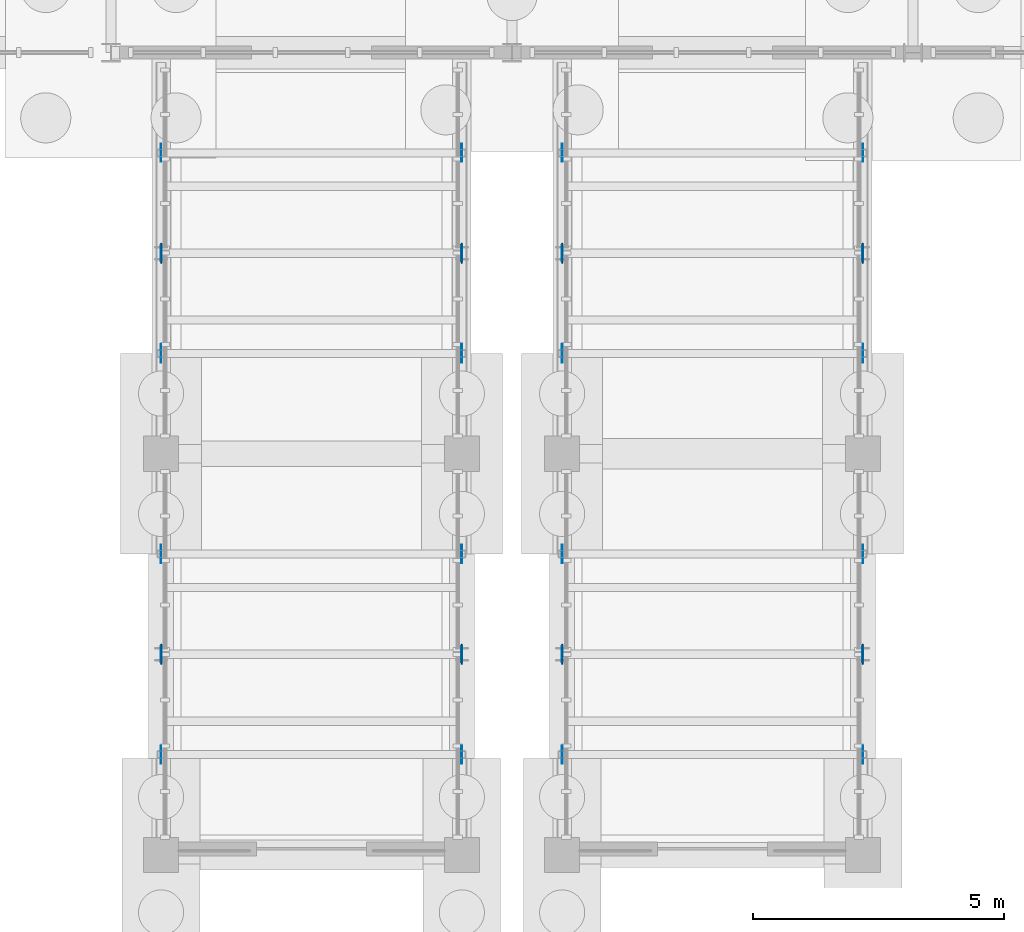
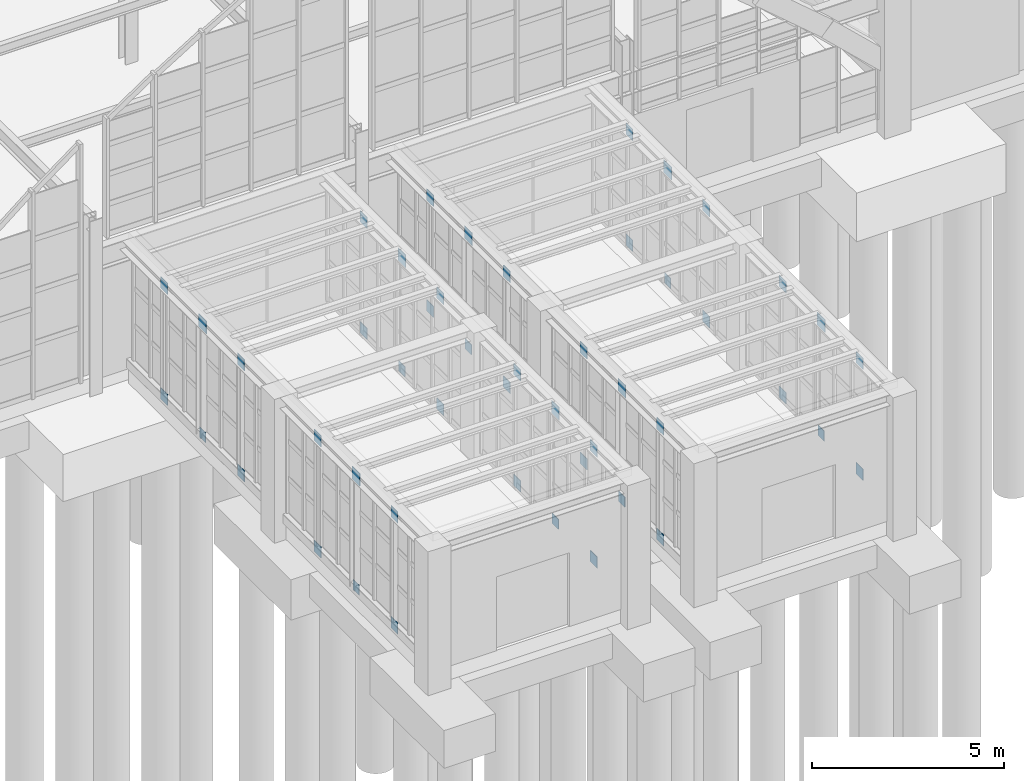
# One storey, part 94 of 129: 48 plates.
"""IFC4 building model written with IfcOpenShell, lengths in metres."""

from ifc_helpers import new_model, si_unit, direction, frame, origin, origin_2d, place, context, subcontext, project, spatial, rectangle, extrude, material, layer, layer_set, type_object, element, save


model = new_model("IFC4")

# Units and contexts
model_context = context("Model", 3, precision=1e-05, world=origin(), true_north=direction((0.0, 1.0)))
body_context = subcontext(model_context, "Body", "Model", "MODEL_VIEW")
ifc_project = project(units=[si_unit("LENGTHUNIT", "METRE"), si_unit("AREAUNIT", "SQUARE_METRE"), si_unit("VOLUMEUNIT", "CUBIC_METRE"), si_unit("PLANEANGLEUNIT", "RADIAN"), si_unit("MASSUNIT", "GRAM", prefix="KILO")], contexts=[model_context])

# Site, building, storey
site_placement = place(None, origin())
site = spatial("IfcSite", under=ifc_project, at=site_placement, CompositionType="ELEMENT")
building_placement = place(site_placement, origin())
building = spatial("IfcBuilding", under=site, at=building_placement, Name="Sitalva Quay Ferry Terminal", CompositionType="ELEMENT")
storey_placement = place(building_placement, origin())
storey = spatial("IfcBuildingStorey", under=building, at=storey_placement, Name="L01", CompositionType="ELEMENT", Elevation=0.0)

# Plates
ifc_material_1 = material(Name="Structural Steel S355JR", Category="steel")
ifc_layer_1 = layer(ifc_material_1, 0.01611328125)
ifc_layer_set_1 = layer_set([ifc_layer_1], Name="Structural Steel S355JR")
plate_type_1 = type_object("IfcPlateType", Name="Gusset_360x360x16", PredefinedType="USERDEFINED", material=ifc_layer_set_1)
for number, where, z_axis, x_axis, name in (
    (1, (51.0, -8.0, 0.06982421875), (0.0, 0.0, 1.0), (1.0, 0.0, 0.0), "Boarding bridge BB2 Vierendeel gusset W1A-BOT"),
    (2, (51.0, -8.0, 3.60009765625), (0.0, 0.0, 1.0), (1.0, 0.0, 0.0), "Boarding bridge BB2 Vierendeel gusset W1A-TOP"),
    (3, (51.0, -4.0, 0.06982421875), (0.0, 0.0, 1.0), (1.0, 0.0, 0.0), "Boarding bridge BB2 Vierendeel gusset W1B-BOT"),
    (4, (51.0, -4.0, 3.60009765625), (0.0, 0.0, 1.0), (1.0, 0.0, 0.0), "Boarding bridge BB2 Vierendeel gusset W1B-TOP"),
    (5, (51.0, 0.0, 0.06982421875), (0.0, 0.0, 1.0), (1.0, 0.0, 0.0), "Boarding bridge BB2 Vierendeel gusset W2A-BOT"),
    (6, (51.0, 0.0, 3.60009765625), (0.0, 0.0, 1.0), (1.0, 0.0, 0.0), "Boarding bridge BB2 Vierendeel gusset W2A-TOP"),
    (7, (51.0, 4.0, 0.06982421875), (0.0, 0.0, 1.0), (1.0, 0.0, 0.0), "Boarding bridge BB2 Vierendeel gusset W2B-BOT"),
    (8, (51.0, 4.0, 3.60009765625), (0.0, 0.0, 1.0), (1.0, 0.0, 0.0), "Boarding bridge BB2 Vierendeel gusset W2B-TOP"),
    (9, (57.0, -8.0, 0.06982421875), (0.0, 0.0, 1.0), (1.0, 0.0, 0.0), "Boarding bridge BB2 Vierendeel gusset E1A-BOT"),
    (10, (57.0, -8.0, 3.60009765625), (0.0, 0.0, 1.0), (1.0, 0.0, 0.0), "Boarding bridge BB2 Vierendeel gusset E1A-TOP"),
    (11, (57.0, -4.0, 0.06982421875), (0.0, 0.0, 1.0), (1.0, 0.0, 0.0), "Boarding bridge BB2 Vierendeel gusset E1B-BOT"),
    (12, (57.0, -4.0, 3.60009765625), (0.0, 0.0, 1.0), (1.0, 0.0, 0.0), "Boarding bridge BB2 Vierendeel gusset E1B-TOP"),
    (13, (57.0, 0.0, 0.06982421875), (0.0, 0.0, 1.0), (1.0, 0.0, 0.0), "Boarding bridge BB2 Vierendeel gusset E2A-BOT"),
    (14, (57.0, 0.0, 3.60009765625), (0.0, 0.0, 1.0), (1.0, 0.0, 0.0), "Boarding bridge BB2 Vierendeel gusset E2A-TOP"),
    (15, (57.0, 4.0, 0.06982421875), (0.0, 0.0, 1.0), (1.0, 0.0, 0.0), "Boarding bridge BB2 Vierendeel gusset E2B-BOT"),
    (16, (57.0, 4.0, 3.60009765625), (0.0, 0.0, 1.0), (1.0, 0.0, 0.0), "Boarding bridge BB2 Vierendeel gusset E2B-TOP"),
    (17, (59.0, -8.0, 0.06982421875), (0.0, 0.0, 1.0), (1.0, 0.0, 0.0), "Boarding bridge BB3 Vierendeel gusset W1A-BOT"),
    (18, (59.0, -8.0, 3.60009765625), (0.0, 0.0, 1.0), (1.0, 0.0, 0.0), "Boarding bridge BB3 Vierendeel gusset W1A-TOP"),
    (19, (59.0, -4.0, 0.06982421875), (0.0, 0.0, 1.0), (1.0, 0.0, 0.0), "Boarding bridge BB3 Vierendeel gusset W1B-BOT"),
    (20, (59.0, -4.0, 3.60009765625), (0.0, 0.0, 1.0), (1.0, 0.0, 0.0), "Boarding bridge BB3 Vierendeel gusset W1B-TOP"),
    (21, (59.0, 0.0, 0.06982421875), (0.0, 0.0, 1.0), (1.0, 0.0, 0.0), "Boarding bridge BB3 Vierendeel gusset W2A-BOT"),
    (22, (59.0, 0.0, 3.60009765625), (0.0, 0.0, 1.0), (1.0, 0.0, 0.0), "Boarding bridge BB3 Vierendeel gusset W2A-TOP"),
    (23, (59.0, 4.0, 0.06982421875), (0.0, 0.0, 1.0), (1.0, 0.0, 0.0), "Boarding bridge BB3 Vierendeel gusset W2B-BOT"),
    (24, (59.0, 4.0, 3.60009765625), (0.0, 0.0, 1.0), (1.0, 0.0, 0.0), "Boarding bridge BB3 Vierendeel gusset W2B-TOP"),
    (25, (65.0, -8.0, 0.06982421875), (0.0, 0.0, 1.0), (1.0, 0.0, 0.0), "Boarding bridge BB3 Vierendeel gusset E1A-BOT"),
    (26, (65.0, -8.0, 3.60009765625), (0.0, 0.0, 1.0), (1.0, 0.0, 0.0), "Boarding bridge BB3 Vierendeel gusset E1A-TOP"),
    (27, (65.0, -4.0, 0.06982421875), (0.0, 0.0, 1.0), (1.0, 0.0, 0.0), "Boarding bridge BB3 Vierendeel gusset E1B-BOT"),
    (28, (65.0, -4.0, 3.60009765625), (0.0, 0.0, 1.0), (1.0, 0.0, 0.0), "Boarding bridge BB3 Vierendeel gusset E1B-TOP"),
    (29, (65.0, 0.0, 0.06982421875), (0.0, 0.0, 1.0), (1.0, 0.0, 0.0), "Boarding bridge BB3 Vierendeel gusset E2A-BOT"),
    (30, (65.0, 0.0, 3.60009765625), (0.0, 0.0, 1.0), (1.0, 0.0, 0.0), "Boarding bridge BB3 Vierendeel gusset E2A-TOP"),
    (31, (65.0, 4.0, 0.06982421875), (0.0, 0.0, 1.0), (1.0, 0.0, 0.0), "Boarding bridge BB3 Vierendeel gusset E2B-BOT"),
    (32, (65.0, 4.0, 3.60009765625), (0.0, 0.0, 1.0), (1.0, 0.0, 0.0), "Boarding bridge BB3 Vierendeel gusset E2B-TOP"),
):
    element("IfcPlate", number, at=place(storey_placement, frame(where, z_axis=z_axis, x_axis=x_axis)), inside=storey, type_object=plate_type_1, Name=name, ObjectType="FLANGE_PLATE", PredefinedType="USERDEFINED", context=body_context, shape_type="SweptSolid", body=[
        extrude(rectangle(XDim=0.01611328125, YDim=0.360107421875, at=origin_2d()), origin(), (0.0, 0.0, 1.0), 0.360107421875),
    ])
ifc_material_2 = material(Name="Structural Steel S355JR", Category="steel")
ifc_layer_2 = layer(ifc_material_2, 0.02001953125)
ifc_layer_set_2 = layer_set([ifc_layer_2], Name="Structural Steel S355JR")
plate_type_2 = type_object("IfcPlateType", Name="Gusset_400x400x20", PredefinedType="USERDEFINED", material=ifc_layer_set_2)
for number, where, z_axis, x_axis, name in (
    (33, (51.0, -6.0, 3.580078125), (0.0, 0.0, 1.0), (1.0, 0.0, 0.0), "Boarding bridge BB2 apex gusset plate 029"),
    (34, (51.0, 2.0, 3.580078125), (0.0, 0.0, 1.0), (1.0, 0.0, 0.0), "Boarding bridge BB2 apex gusset plate 035"),
    (35, (57.0, -6.0, 3.580078125), (0.0, 0.0, 1.0), (1.0, 0.0, 0.0), "Boarding bridge BB2 apex gusset plate 041"),
    (36, (57.0, 2.0, 3.580078125), (0.0, 0.0, 1.0), (1.0, 0.0, 0.0), "Boarding bridge BB2 apex gusset plate 047"),
    (37, (59.0, -6.0, 3.580078125), (0.0, 0.0, 1.0), (1.0, 0.0, 0.0), "Boarding bridge BB3 apex gusset plate 053"),
    (38, (59.0, 2.0, 3.580078125), (0.0, 0.0, 1.0), (1.0, 0.0, 0.0), "Boarding bridge BB3 apex gusset plate 059"),
    (39, (65.0, -6.0, 3.580078125), (0.0, 0.0, 1.0), (1.0, 0.0, 0.0), "Boarding bridge BB3 apex gusset plate 065"),
    (40, (65.0, 2.0, 3.580078125), (0.0, 0.0, 1.0), (1.0, 0.0, 0.0), "Boarding bridge BB3 apex gusset plate 071"),
):
    element("IfcPlate", number, at=place(storey_placement, frame(where, z_axis=z_axis, x_axis=x_axis)), inside=storey, type_object=plate_type_2, Name=name, ObjectType="FLANGE_PLATE", PredefinedType="USERDEFINED", context=body_context, shape_type="SweptSolid", body=[
        extrude(rectangle(XDim=0.02001953125, YDim=0.39990234375, at=origin_2d()), origin(), (0.0, 0.0, 1.0), 0.39990234375),
    ])
ifc_material_3 = material(Name="Structural Steel S355JR", Category="steel")
ifc_layer_3 = layer(ifc_material_3, 0.01806640625)
ifc_layer_set_3 = layer_set([ifc_layer_3], Name="Structural Steel S355JR")
plate_type_3 = type_object("IfcPlateType", Name="Stiffener_320x320x18", PredefinedType="USERDEFINED", material=ifc_layer_set_3)
for number, where, z_axis, x_axis, name in (
    (41, (51.0, -6.0, 0.08984375), (0.0, 0.0, 1.0), (1.0, 0.0, 0.0), "Boarding bridge BB2 chord stiffener 030"),
    (42, (51.0, 2.0, 0.08984375), (0.0, 0.0, 1.0), (1.0, 0.0, 0.0), "Boarding bridge BB2 chord stiffener 036"),
    (43, (57.0, -6.0, 0.08984375), (0.0, 0.0, 1.0), (1.0, 0.0, 0.0), "Boarding bridge BB2 chord stiffener 042"),
    (44, (57.0, 2.0, 0.08984375), (0.0, 0.0, 1.0), (1.0, 0.0, 0.0), "Boarding bridge BB2 chord stiffener 048"),
    (45, (59.0, -6.0, 0.08984375), (0.0, 0.0, 1.0), (1.0, 0.0, 0.0), "Boarding bridge BB3 chord stiffener 054"),
    (46, (59.0, 2.0, 0.08984375), (0.0, 0.0, 1.0), (1.0, 0.0, 0.0), "Boarding bridge BB3 chord stiffener 060"),
    (47, (65.0, -6.0, 0.08984375), (0.0, 0.0, 1.0), (1.0, 0.0, 0.0), "Boarding bridge BB3 chord stiffener 066"),
    (48, (65.0, 2.0, 0.08984375), (0.0, 0.0, 1.0), (1.0, 0.0, 0.0), "Boarding bridge BB3 chord stiffener 072"),
):
    element("IfcPlate", number, at=place(storey_placement, frame(where, z_axis=z_axis, x_axis=x_axis)), inside=storey, type_object=plate_type_3, Name=name, ObjectType="STIFFENER_PLATE", PredefinedType="USERDEFINED", context=body_context, shape_type="SweptSolid", body=[
        extrude(rectangle(XDim=0.01806640625, YDim=0.320068359375, at=origin_2d()), origin(), (0.0, 0.0, 1.0), 0.320068359375),
    ])

save(model, "model.ifc")
